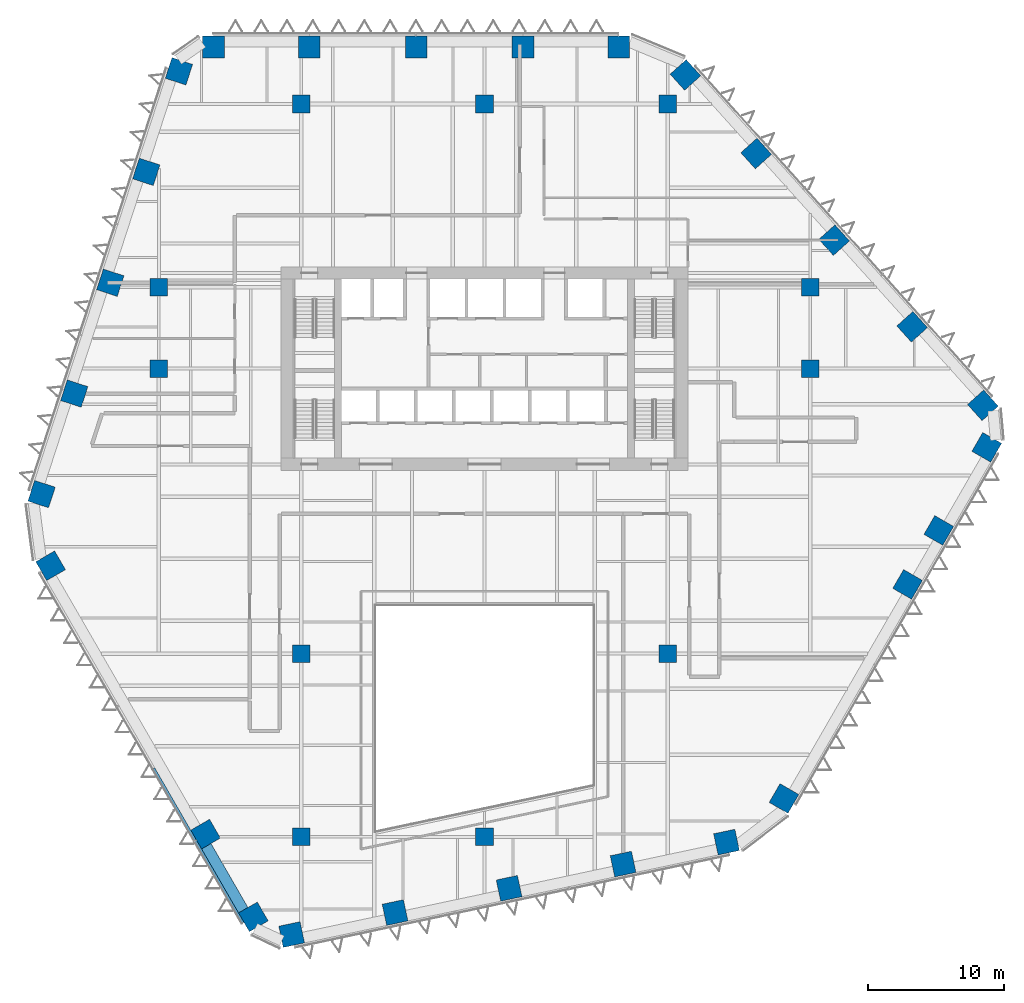
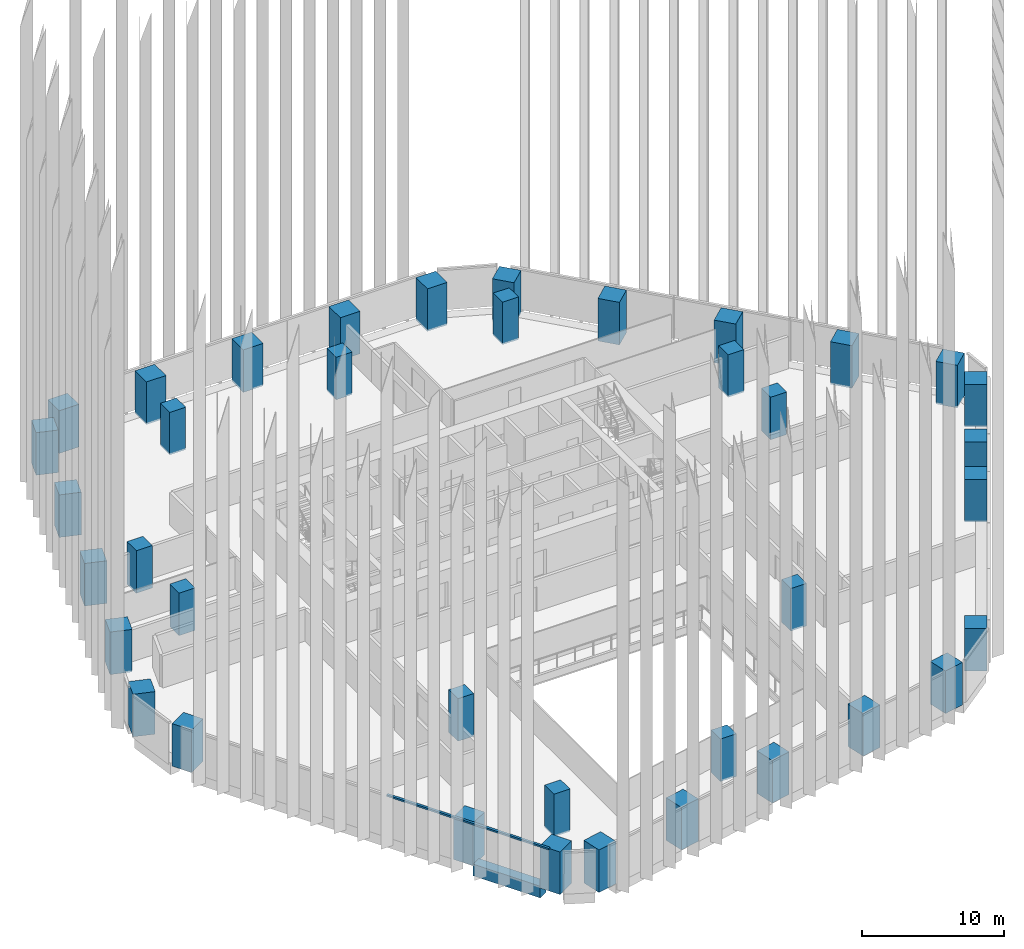
# One storey, part 1 of 24: 38 columns, 2 members, 1 beam, 1 element without a shape of its own.
"""IFC4 building model written with IfcOpenShell, lengths in metres."""

from ifc_helpers import new_model, si_unit, direction, frame, origin, origin_2d, place, context, subcontext, project, spatial, rectangle, extrude, material, layer, layer_set, material_profile, profile_set, type_object, element, aggregate, save


model = new_model("IFC4")

# Units and contexts
model_context = context("Model", 3, precision=1e-05, world=origin(), true_north=direction((0.0, 1.0)))
body_context = subcontext(model_context, "Body", "Model", "MODEL_VIEW")
ifc_project = project(units=[si_unit("LENGTHUNIT", "METRE"), si_unit("AREAUNIT", "SQUARE_METRE"), si_unit("VOLUMEUNIT", "CUBIC_METRE"), si_unit("PLANEANGLEUNIT", "RADIAN"), si_unit("MASSUNIT", "GRAM", prefix="KILO")], contexts=[model_context])

# Site, building, storey
site_placement = place(None, origin())
site = spatial("IfcSite", under=ifc_project, at=site_placement, CompositionType="ELEMENT")
building_placement = place(site_placement, origin())
building = spatial("IfcBuilding", under=site, at=building_placement, Name="Isthmus Gate Tower", CompositionType="ELEMENT")
storey_placement = place(building_placement, frame((0.0, 0.0, 80.64990234375)))
storey = spatial("IfcBuildingStorey", under=building, at=storey_placement, Name="L18", CompositionType="ELEMENT", Elevation=80.64990234375)

# Columns
ifc_material_1 = material(Name="Concrete f'c 70 MPa", Category="concrete")
ifc_material_profile_1 = material_profile(ifc_material_1, rectangle(XDim=1.300048828125, YDim=1.300048828125, at=origin_2d()), Name="RC 1300X1300")
ifc_profile_set_1 = profile_set([ifc_material_profile_1], Name="Concrete f'c 70 MPa")
column_type_1 = type_object("IfcColumnType", Name="RC INTERIOR COLUMN 1300 X 1300", PredefinedType="COLUMN", material=ifc_profile_set_1)
for number, where, z_axis, x_axis, name in (
    (1, (-24.0, 7.5, -0.14990234375), (0.0, 0.0, 1.0), (1.0, 0.0, 0.0), "str-icol-L18-ICA3"),
    (2, (-24.0, 13.5, -0.14990234375), (0.0, 0.0, 1.0), (1.0, 0.0, 0.0), "str-icol-L18-ICA4"),
    (3, (-13.5, -27.0, -0.14990234375), (0.0, 0.0, 1.0), (1.0, 0.0, 0.0), "str-icol-L18-ICB1"),
    (4, (-13.5, -13.5, -0.14990234375), (0.0, 0.0, 1.0), (1.0, 0.0, 0.0), "str-icol-L18-ICB2"),
    (5, (-13.5, 27.0, -0.14990234375), (0.0, 0.0, 1.0), (1.0, 0.0, 0.0), "str-icol-L18-ICB5"),
    (6, (0.0, -27.0, -0.14990234375), (0.0, 0.0, 1.0), (1.0, 0.0, 0.0), "str-icol-L18-ICC1"),
    (7, (0.0, 27.0, -0.14990234375), (0.0, 0.0, 1.0), (1.0, 0.0, 0.0), "str-icol-L18-ICC5"),
    (8, (13.5, -13.5, -0.14990234375), (0.0, 0.0, 1.0), (1.0, 0.0, 0.0), "str-icol-L18-ICD2"),
    (9, (13.5, 27.0, -0.14990234375), (0.0, 0.0, 1.0), (1.0, 0.0, 0.0), "str-icol-L18-ICD5"),
    (10, (24.0, 7.5, -0.14990234375), (0.0, 0.0, 1.0), (1.0, 0.0, 0.0), "str-icol-L18-ICE3"),
    (11, (24.0, 13.5, -0.14990234375), (0.0, 0.0, 1.0), (1.0, 0.0, 0.0), "str-icol-L18-ICE4"),
):
    element("IfcColumn", number, at=place(storey_placement, frame(where, z_axis=z_axis, x_axis=x_axis)), inside=storey, type_object=column_type_1, Name=name, PredefinedType="COLUMN", context=body_context, shape_type="SweptSolid", body=[
        extrude(rectangle(XDim=1.300048828125, YDim=1.300048828125, at=origin_2d()), origin(), (0.0, 0.0, 1.0), 3.64990234375),
    ])
ifc_material_2 = material(Name="Concrete f'c 70 MPa", Category="concrete")
ifc_material_profile_2 = material_profile(ifc_material_2, rectangle(XDim=1.60009765625, YDim=1.60009765625, at=origin_2d()), Name="RC 1600X1600")
ifc_profile_set_2 = profile_set([ifc_material_profile_2], Name="Concrete f'c 70 MPa")
column_type_2 = type_object("IfcColumnType", Name="RC TUBE COLUMN 1600 X 1600", PredefinedType="COLUMN", material=ifc_profile_set_2)
for number, where, z_axis, x_axis, name in (
    (12, (9.90185546875, 31.199951171875, -0.14990234375), (0.0, 0.0, 1.0), (-1.0, 0.0, 0.0), "str-tcol-L18-T1N0"),
    (13, (2.832275390625, 31.199951171875, -0.14990234375), (0.0, 0.0, 1.0), (-1.0, 0.0, 0.0), "str-tcol-L18-T1N1"),
    (14, (-5.037109375, 31.199951171875, -0.14990234375), (0.0, 0.0, 1.0), (-1.0, 0.0, 0.0), "str-tcol-L18-T1N2"),
    (15, (-12.90673828125, 31.199951171875, -0.14990234375), (0.0, 0.0, 1.0), (-1.0, 0.0, 0.0), "str-tcol-L18-T1N3"),
    (16, (-19.976318359375, 31.199951171875, -0.14990234375), (0.0, 0.0, 1.0), (-1.0, 0.0, 0.0), "str-tcol-L18-T1N4"),
    (17, (-22.515380859375, 29.406982421875, -0.14990234375), (0.0, 0.0, 1.0), (-0.309016994375, -0.951056516295, 0.0), "str-tcol-L18-T1NW0"),
    (18, (-24.922607421875, 21.998779296875, -0.14990234375), (0.0, 0.0, 1.0), (-0.309016994375, -0.951056516295, 0.0), "str-tcol-L18-T1NW1"),
    (19, (-27.57666015625, 13.829833984375, -0.14990234375), (0.0, 0.0, 1.0), (-0.309016994375, -0.951056516295, 0.0), "str-tcol-L18-T1NW2"),
    (20, (-30.23095703125, 5.660888671875, -0.14990234375), (0.0, 0.0, 1.0), (-0.309016994375, -0.951056516295, 0.0), "str-tcol-L18-T1NW3"),
    (21, (-32.63818359375, -1.747314453125, -0.14990234375), (0.0, 0.0, 1.0), (-0.309016994375, -0.951056516295, 0.0), "str-tcol-L18-T1NW4"),
    (22, (-31.970947265625, -7.024658203125, -0.14990234375), (0.0, 0.0, 1.0), (0.5, -0.866025403784, 0.0), "str-tcol-L18-T1SW0"),
    (23, (-20.5537109375, -26.800048828125, -0.14990234375), (0.0, 0.0, 1.0), (0.5, -0.866025403784, 0.0), "str-tcol-L18-T1SW2"),
    (24, (-17.031982421875, -32.89990234375, -0.14990234375), (0.0, 0.0, 1.0), (0.5, -0.866025403784, 0.0), "str-tcol-L18-T1SW3"),
    (25, (-14.20947265625, -34.202392578125, -0.14990234375), (0.0, 0.0, 1.0), (0.978147600734, 0.207911690818, 0.0), "str-tcol-L18-T1S0"),
    (26, (-6.59033203125, -32.5830078125, -0.14990234375), (0.0, 0.0, 1.0), (0.978147600734, 0.207911690818, 0.0), "str-tcol-L18-T1S1"),
    (27, (1.811279296875, -30.797119140625, -0.14990234375), (0.0, 0.0, 1.0), (0.978147600734, 0.207911690818, 0.0), "str-tcol-L18-T1S2"),
    (28, (10.213134765625, -29.01123046875, -0.14990234375), (0.0, 0.0, 1.0), (0.978147600734, 0.207911690818, 0.0), "str-tcol-L18-T1S3"),
    (29, (17.832275390625, -27.391845703125, -0.14990234375), (0.0, 0.0, 1.0), (0.978147600734, 0.207911690818, 0.0), "str-tcol-L18-T1S4"),
    (30, (22.069091796875, -24.17529296875, -0.14990234375), (0.0, 0.0, 1.0), (0.5, 0.866025403784, 0.0), "str-tcol-L18-T1SE0"),
    (31, (31.177001953125, -8.39990234375, -0.14990234375), (0.0, 0.0, 1.0), (0.5, 0.866025403784, 0.0), "str-tcol-L18-T1SE1"),
    (32, (33.473388671875, -4.42236328125, -0.14990234375), (0.0, 0.0, 1.0), (0.5, 0.866025403784, 0.0), "str-tcol-L18-T1SE2"),
    (33, (37.008056640625, 1.699951171875, -0.14990234375), (0.0, 0.0, 1.0), (0.5, 0.866025403784, 0.0), "str-tcol-L18-T1SE3"),
    (34, (36.724853515625, 4.79541015625, -0.14990234375), (0.0, 0.0, 1.0), (-0.669130606359, 0.743144825477, 0.0), "str-tcol-L18-T1NE0"),
    (35, (31.5126953125, 10.584228515625, -0.14990234375), (0.0, 0.0, 1.0), (-0.669130606359, 0.743144825477, 0.0), "str-tcol-L18-T1NE1"),
    (36, (25.765380859375, 16.96728515625, -0.14990234375), (0.0, 0.0, 1.0), (-0.669130606359, 0.743144825477, 0.0), "str-tcol-L18-T1NE2"),
    (37, (20.01806640625, 23.350341796875, -0.14990234375), (0.0, 0.0, 1.0), (-0.669130606359, 0.743144825477, 0.0), "str-tcol-L18-T1NE3"),
    (38, (14.805908203125, 29.138916015625, -0.14990234375), (0.0, 0.0, 1.0), (-0.669130606359, 0.743144825477, 0.0), "str-tcol-L18-T1NE4"),
):
    element("IfcColumn", number, at=place(storey_placement, frame(where, z_axis=z_axis, x_axis=x_axis)), inside=storey, type_object=column_type_2, Name=name, PredefinedType="COLUMN", context=body_context, shape_type="SweptSolid", body=[
        extrude(rectangle(XDim=1.60009765625, YDim=1.60009765625, at=origin_2d()), origin(), (0.0, 0.0, 1.0), 3.64990234375),
    ])

# Curtain wall, members
ifc_material_3 = material(Name="Aluminium, pale champagne anodised", Category="aluminium")
ifc_layer = layer(ifc_material_3, 0.199951171875)
ifc_layer_set = layer_set([ifc_layer], Name="CW-1 UNITISED CURTAIN WALL 200 DEEP")
curtain_wall_type = type_object("IfcCurtainWallType", Name="CW-1 UNITISED CURTAIN WALL 200 DEEP", PredefinedType="NOTDEFINED", material=ifc_layer_set)
curtain_wall_placement = place(storey_placement, origin())
curtain_wall = element("IfcCurtainWall", 39, at=curtain_wall_placement, inside=storey, type_object=curtain_wall_type, Name="CW-1 SW L18", PredefinedType="NOTDEFINED")
ifc_material_4 = material(Name="Aluminium, pale champagne anodised", Category="aluminium")
ifc_material_profile_3 = material_profile(ifc_material_4, rectangle(XDim=0.199951171875, YDim=0.14990234375, at=origin_2d()), Name="200x150")
ifc_profile_set_3 = profile_set([ifc_material_profile_3], Name="Aluminium, pale champagne anodised")
member_type = type_object("IfcMemberType", Name="CW-1 TRANSOM 200 X 150", PredefinedType="USERDEFINED", material=ifc_profile_set_3)
member_1_placement = place(storey_placement, frame((-24.387451171875, -21.959716796875, 3.5751953125), z_axis=(0.500011900272, -0.86601853305, 0.0), x_axis=(0.86601853305, 0.500011900272, 0.0)))
member_1 = element("IfcMember", 40, at=member_1_placement, type_object=member_type, Name="CW-1 transom", ObjectType="TRANSOM", PredefinedType="USERDEFINED", context=body_context, shape_type="SweptSolid", body=[
    extrude(rectangle(XDim=0.199951171875, YDim=0.14990234375, at=origin_2d()), origin(), (0.0, 0.0, 1.0), 6.108642578125),
])
member_2_placement = place(storey_placement, frame((-21.302978515625, -27.302001953125, 3.5751953125), z_axis=(0.499996830835, -0.866027233495, 0.0), x_axis=(0.866027233495, 0.499996830835, 0.0)))
member_2 = element("IfcMember", 41, at=member_2_placement, type_object=member_type, Name="CW-1 transom", ObjectType="TRANSOM", PredefinedType="USERDEFINED", context=body_context, shape_type="SweptSolid", body=[
    extrude(rectangle(XDim=0.199951171875, YDim=0.14990234375, at=origin_2d()), origin(), (0.0, 0.0, 1.0), 6.9833984375),
])
aggregate(curtain_wall, [member_1, member_2])

# Beam
ifc_material_5 = material(Name="Concrete f'c 70 MPa", Category="concrete")
ifc_material_profile_4 = material_profile(ifc_material_5, rectangle(XDim=0.800048828125, YDim=1.0, at=origin_2d()), Name="RC 800X1000")
ifc_profile_set_4 = profile_set([ifc_material_profile_4], Name="Concrete f'c 70 MPa")
beam_type = type_object("IfcBeamType", Name="RC SPANDREL 800 X 1000", PredefinedType="SPANDREL", material=ifc_profile_set_4)
beam_placement = place(storey_placement, frame((-17.7783203125, -32.406982421875, -0.5), z_axis=(-0.499998104561, 0.866026498114, 0.0), x_axis=(-0.866026498114, -0.499998104561, 0.0)))
element("IfcBeam", 42, at=beam_placement, inside=storey, type_object=beam_type, Name="str-spandrel-L18-15", PredefinedType="SPANDREL", context=body_context, shape_type="SweptSolid", body=[
    extrude(rectangle(XDim=0.800048828125, YDim=1.0, at=origin_2d()), origin(), (0.0, 0.0, 1.0), 5.443359375),
])

save(model, "model.ifc")
